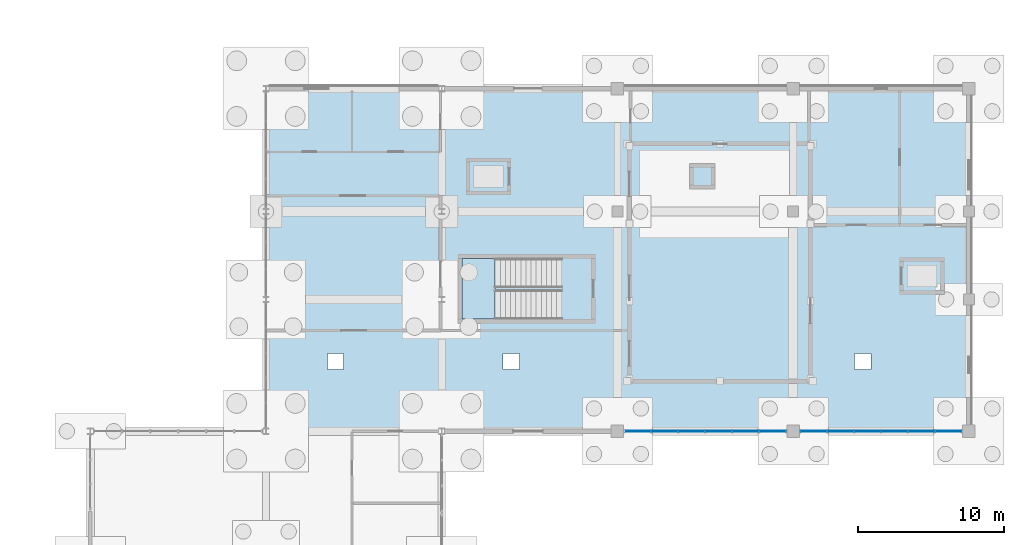
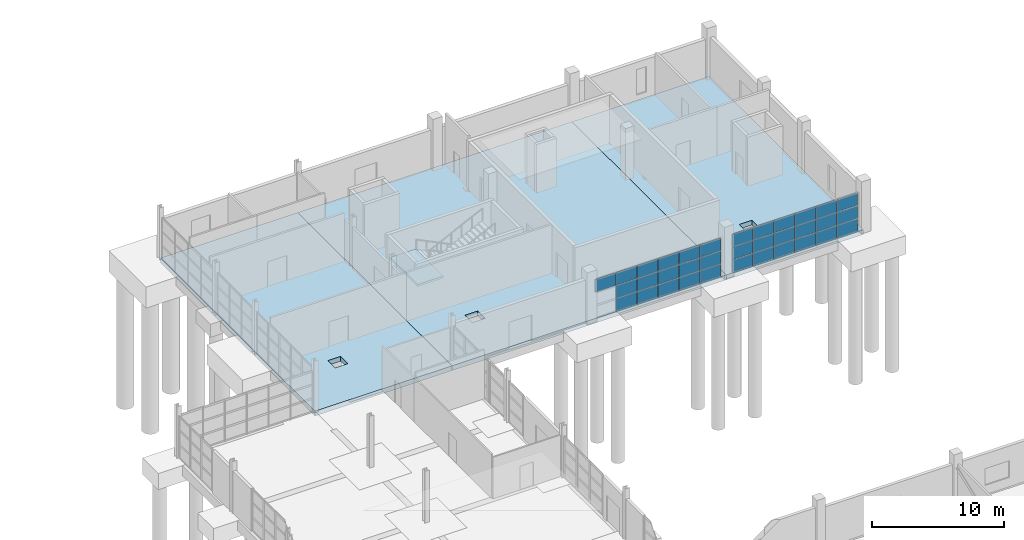
# One storey, part 51 of 82: 34 plates, 4 slabs, 3 elements without a shape of their own.
"""IFC4 building model written with IfcOpenShell, lengths in metres."""

from ifc_helpers import new_model, si_unit, direction, frame, origin, origin_2d, place, context, subcontext, project, spatial, polyline, rectangle, outline, extrude, material, layer, layer_set, type_object, element, aggregate, save


model = new_model("IFC4")

# Units and contexts
model_context = context("Model", 3, precision=1e-05, world=origin(), true_north=direction((0.0, 1.0)))
body_context = subcontext(model_context, "Body", "Model", "MODEL_VIEW")
ifc_project = project(units=[si_unit("LENGTHUNIT", "METRE"), si_unit("AREAUNIT", "SQUARE_METRE"), si_unit("VOLUMEUNIT", "CUBIC_METRE"), si_unit("PLANEANGLEUNIT", "RADIAN"), si_unit("MASSUNIT", "GRAM", prefix="KILO")], contexts=[model_context])

# Site, building, storey
site_placement = place(None, origin())
site = spatial("IfcSite", under=ifc_project, at=site_placement, CompositionType="ELEMENT")
building_placement = place(site_placement, origin())
building = spatial("IfcBuilding", under=site, at=building_placement, Name="Kelmvaro Bay Concert Hall", CompositionType="ELEMENT")
storey_placement = place(building_placement, origin())
storey = spatial("IfcBuildingStorey", under=building, at=storey_placement, Name="L00", CompositionType="ELEMENT", Elevation=0.0)

# Stair, slab
ifc_material_1 = material(Name="Concrete C40/50", Category="concrete")
stair_type = type_object("IfcStairType", Name="Core Dogleg Exit Stair 2020", PredefinedType="USERDEFINED", material=ifc_material_1)
stair_placement = place(storey_placement, origin())
stair = element("IfcStair", 1, at=stair_placement, inside=storey, type_object=stair_type, Name="L00 Exit Stair ST-07", ObjectType="TWO_RETURN_STAIR", PredefinedType="USERDEFINED")
ifc_material_2 = material(Name="Concrete C40/50", Category="concrete")
ifc_layer_1 = layer(ifc_material_2, 0.199951171875)
ifc_layer_set_1 = layer_set([ifc_layer_1], Name="Concrete C40/50")
slab_type_1 = type_object("IfcSlabType", Name="Core Stair Half-Landing Slab 200", PredefinedType="LANDING", material=ifc_layer_set_1)
slab_1_placement = place(storey_placement, frame((0.0, 0.0, 2.199951171875)))
slab_1 = element("IfcSlab", 2, at=slab_1_placement, type_object=slab_type_1, Name="ST-07 landing 1", PredefinedType="LANDING", context=body_context, shape_type="SweptSolid", body=[
    extrude(outline(polyline([(135.64990234375, 85.60009765625), (133.39990234375, 85.60009765625), (133.39990234375, 81.449951171875), (135.64990234375, 81.449951171875), (135.64990234375, 85.60009765625)])), origin(), (0.0, 0.0, 1.0), 0.199951171875),
])
aggregate(stair, [slab_1])

# Curtain wall, plates
ifc_material_3 = material(Name="Anodised Aluminium and Low-E Insulated Glazing", Category="aluminium")
curtain_wall_type = type_object("IfcCurtainWallType", Name="Chamber Foyer Curtain Wall 3900", PredefinedType="USERDEFINED", material=ifc_material_3)
curtain_wall_1_placement = place(storey_placement, origin())
curtain_wall_1 = element("IfcCurtainWall", 3, at=curtain_wall_1_placement, inside=storey, type_object=curtain_wall_type, Name="Unitised Curtain Wall CW-L00-030", ObjectType="UNITISED GLAZING", PredefinedType="USERDEFINED")
ifc_material_4 = material(Name="Laminated Low-E Insulated Glass", Category="glass")
ifc_layer_2 = layer(ifc_material_4, 1.85009765625)
ifc_layer_set_2 = layer_set([ifc_layer_2], Name="Laminated Low-E Insulated Glass")
plate_type = type_object("IfcPlateType", Name="High-Impact Waterfront Glazing Panel 50", PredefinedType="CURTAIN_PANEL", material=ifc_layer_set_2)
plate_1_placement = place(storey_placement, frame((154.60009765625, 73.800048828125, 0.032470703125), z_axis=(0.0, 0.0, 1.0), x_axis=(-1.0, 0.0, 0.0)))
plate_1 = element("IfcPlate", 4, at=plate_1_placement, type_object=plate_type, Name="CW-L00-030 Insulated Glazing Panel 01-1", PredefinedType="CURTAIN_PANEL", context=body_context, shape_type="SweptSolid", body=[
    extrude(rectangle(XDim=1.77490234375, YDim=0.050048828125, at=origin_2d()), origin(), (0.0, 0.0, 1.0), 1.14501953125),
])
plate_2_placement = place(storey_placement, frame((154.60009765625, 73.800048828125, 1.242431640625), z_axis=(0.0, 0.0, 1.0), x_axis=(-1.0, 0.0, 0.0)))
plate_2 = element("IfcPlate", 5, at=plate_2_placement, type_object=plate_type, Name="CW-L00-030 Insulated Glazing Panel 01-2", PredefinedType="CURTAIN_PANEL", context=body_context, shape_type="SweptSolid", body=[
    extrude(rectangle(XDim=1.77490234375, YDim=0.050048828125, at=origin_2d()), origin(), (0.0, 0.0, 1.0), 1.14501953125),
])
plate_3_placement = place(storey_placement, frame((154.60009765625, 73.800048828125, 2.452392578125), z_axis=(0.0, 0.0, 1.0), x_axis=(-1.0, 0.0, 0.0)))
plate_3 = element("IfcPlate", 6, at=plate_3_placement, type_object=plate_type, Name="CW-L00-030 Insulated Glazing Panel 01-3", PredefinedType="CURTAIN_PANEL", context=body_context, shape_type="SweptSolid", body=[
    extrude(rectangle(XDim=1.77490234375, YDim=0.050048828125, at=origin_2d()), origin(), (0.0, 0.0, 1.0), 1.14501953125),
])
plate_4_placement = place(storey_placement, frame((152.760009765625, 73.800048828125, 0.032470703125), z_axis=(0.0, 0.0, 1.0), x_axis=(-1.0, 0.0, 0.0)))
plate_4 = element("IfcPlate", 7, at=plate_4_placement, type_object=plate_type, Name="CW-L00-030 Insulated Glazing Panel 02-1", PredefinedType="CURTAIN_PANEL", context=body_context, shape_type="SweptSolid", body=[
    extrude(rectangle(XDim=1.77490234375, YDim=0.050048828125, at=origin_2d()), origin(), (0.0, 0.0, 1.0), 1.14501953125),
])
plate_5_placement = place(storey_placement, frame((152.760009765625, 73.800048828125, 1.242431640625), z_axis=(0.0, 0.0, 1.0), x_axis=(-1.0, 0.0, 0.0)))
plate_5 = element("IfcPlate", 8, at=plate_5_placement, type_object=plate_type, Name="CW-L00-030 Insulated Glazing Panel 02-2", PredefinedType="CURTAIN_PANEL", context=body_context, shape_type="SweptSolid", body=[
    extrude(rectangle(XDim=1.77490234375, YDim=0.050048828125, at=origin_2d()), origin(), (0.0, 0.0, 1.0), 1.14501953125),
])
plate_6_placement = place(storey_placement, frame((152.760009765625, 73.800048828125, 2.452392578125), z_axis=(0.0, 0.0, 1.0), x_axis=(-1.0, 0.0, 0.0)))
plate_6 = element("IfcPlate", 9, at=plate_6_placement, type_object=plate_type, Name="CW-L00-030 Insulated Glazing Panel 02-3", PredefinedType="CURTAIN_PANEL", context=body_context, shape_type="SweptSolid", body=[
    extrude(rectangle(XDim=1.77490234375, YDim=0.050048828125, at=origin_2d()), origin(), (0.0, 0.0, 1.0), 1.14501953125),
])
plate_7_placement = place(storey_placement, frame((150.919921875, 73.800048828125, 0.032470703125), z_axis=(0.0, 0.0, 1.0), x_axis=(-1.0, 0.0, 0.0)))
plate_7 = element("IfcPlate", 10, at=plate_7_placement, type_object=plate_type, Name="CW-L00-030 Insulated Glazing Panel 03-1", PredefinedType="CURTAIN_PANEL", context=body_context, shape_type="SweptSolid", body=[
    extrude(rectangle(XDim=1.77490234375, YDim=0.050048828125, at=origin_2d()), origin(), (0.0, 0.0, 1.0), 1.14501953125),
])
plate_8_placement = place(storey_placement, frame((150.919921875, 73.800048828125, 1.242431640625), z_axis=(0.0, 0.0, 1.0), x_axis=(-1.0, 0.0, 0.0)))
plate_8 = element("IfcPlate", 11, at=plate_8_placement, type_object=plate_type, Name="CW-L00-030 Insulated Glazing Panel 03-2", PredefinedType="CURTAIN_PANEL", context=body_context, shape_type="SweptSolid", body=[
    extrude(rectangle(XDim=1.77490234375, YDim=0.050048828125, at=origin_2d()), origin(), (0.0, 0.0, 1.0), 1.14501953125),
])
plate_9_placement = place(storey_placement, frame((150.919921875, 73.800048828125, 2.452392578125), z_axis=(0.0, 0.0, 1.0), x_axis=(-1.0, 0.0, 0.0)))
plate_9 = element("IfcPlate", 12, at=plate_9_placement, type_object=plate_type, Name="CW-L00-030 Insulated Glazing Panel 03-3", PredefinedType="CURTAIN_PANEL", context=body_context, shape_type="SweptSolid", body=[
    extrude(rectangle(XDim=1.77490234375, YDim=0.050048828125, at=origin_2d()), origin(), (0.0, 0.0, 1.0), 1.14501953125),
])
plate_10_placement = place(storey_placement, frame((149.080078125, 73.800048828125, 0.032470703125), z_axis=(0.0, 0.0, 1.0), x_axis=(-1.0, 0.0, 0.0)))
plate_10 = element("IfcPlate", 13, at=plate_10_placement, type_object=plate_type, Name="CW-L00-030 Insulated Glazing Panel 04-1", PredefinedType="CURTAIN_PANEL", context=body_context, shape_type="SweptSolid", body=[
    extrude(rectangle(XDim=1.77490234375, YDim=0.050048828125, at=origin_2d()), origin(), (0.0, 0.0, 1.0), 1.14501953125),
])
plate_11_placement = place(storey_placement, frame((149.080078125, 73.800048828125, 1.242431640625), z_axis=(0.0, 0.0, 1.0), x_axis=(-1.0, 0.0, 0.0)))
plate_11 = element("IfcPlate", 14, at=plate_11_placement, type_object=plate_type, Name="CW-L00-030 Insulated Glazing Panel 04-2", PredefinedType="CURTAIN_PANEL", context=body_context, shape_type="SweptSolid", body=[
    extrude(rectangle(XDim=1.77490234375, YDim=0.050048828125, at=origin_2d()), origin(), (0.0, 0.0, 1.0), 1.14501953125),
])
plate_12_placement = place(storey_placement, frame((149.080078125, 73.800048828125, 2.452392578125), z_axis=(0.0, 0.0, 1.0), x_axis=(-1.0, 0.0, 0.0)))
plate_12 = element("IfcPlate", 15, at=plate_12_placement, type_object=plate_type, Name="CW-L00-030 Insulated Glazing Panel 04-3", PredefinedType="CURTAIN_PANEL", context=body_context, shape_type="SweptSolid", body=[
    extrude(rectangle(XDim=1.77490234375, YDim=0.050048828125, at=origin_2d()), origin(), (0.0, 0.0, 1.0), 1.14501953125),
])
plate_13_placement = place(storey_placement, frame((147.239990234375, 73.800048828125, 0.032470703125), z_axis=(0.0, 0.0, 1.0), x_axis=(-1.0, 0.0, 0.0)))
plate_13 = element("IfcPlate", 16, at=plate_13_placement, type_object=plate_type, Name="CW-L00-030 Insulated Glazing Panel 05-1", PredefinedType="CURTAIN_PANEL", context=body_context, shape_type="SweptSolid", body=[
    extrude(rectangle(XDim=1.77490234375, YDim=0.050048828125, at=origin_2d()), origin(), (0.0, 0.0, 1.0), 1.14501953125),
])
plate_14_placement = place(storey_placement, frame((147.239990234375, 73.800048828125, 1.242431640625), z_axis=(0.0, 0.0, 1.0), x_axis=(-1.0, 0.0, 0.0)))
plate_14 = element("IfcPlate", 17, at=plate_14_placement, type_object=plate_type, Name="CW-L00-030 Insulated Glazing Panel 05-2", PredefinedType="CURTAIN_PANEL", context=body_context, shape_type="SweptSolid", body=[
    extrude(rectangle(XDim=1.77490234375, YDim=0.050048828125, at=origin_2d()), origin(), (0.0, 0.0, 1.0), 1.14501953125),
])
plate_15_placement = place(storey_placement, frame((147.239990234375, 73.800048828125, 2.452392578125), z_axis=(0.0, 0.0, 1.0), x_axis=(-1.0, 0.0, 0.0)))
plate_15 = element("IfcPlate", 18, at=plate_15_placement, type_object=plate_type, Name="CW-L00-030 Insulated Glazing Panel 05-3", PredefinedType="CURTAIN_PANEL", context=body_context, shape_type="SweptSolid", body=[
    extrude(rectangle(XDim=1.77490234375, YDim=0.050048828125, at=origin_2d()), origin(), (0.0, 0.0, 1.0), 1.14501953125),
])
plate_16_placement = place(storey_placement, frame((145.39990234375, 73.800048828125, 2.452392578125), z_axis=(0.0, 0.0, 1.0), x_axis=(-1.0, 0.0, 0.0)))
plate_16 = element("IfcPlate", 19, at=plate_16_placement, type_object=plate_type, Name="CW-L00-030 Insulated Glazing Panel 06-3", PredefinedType="CURTAIN_PANEL", context=body_context, shape_type="SweptSolid", body=[
    extrude(rectangle(XDim=1.77490234375, YDim=0.050048828125, at=origin_2d()), origin(), (0.0, 0.0, 1.0), 1.14501953125),
])
aggregate(curtain_wall_1, [plate_1, plate_2, plate_3, plate_4, plate_5, plate_6, plate_7, plate_8, plate_9, plate_10, plate_11, plate_12, plate_13, plate_14, plate_15, plate_16])

curtain_wall_2_placement = place(storey_placement, origin())
curtain_wall_2 = element("IfcCurtainWall", 20, at=curtain_wall_2_placement, inside=storey, type_object=curtain_wall_type, Name="Unitised Curtain Wall CW-L00-031", ObjectType="UNITISED GLAZING", PredefinedType="USERDEFINED")
plate_17_placement = place(storey_placement, frame((166.60009765625, 73.800048828125, 0.032470703125), z_axis=(0.0, 0.0, 1.0), x_axis=(-1.0, 0.0, 0.0)))
plate_17 = element("IfcPlate", 21, at=plate_17_placement, type_object=plate_type, Name="CW-L00-031 Insulated Glazing Panel 01-1", PredefinedType="CURTAIN_PANEL", context=body_context, shape_type="SweptSolid", body=[
    extrude(rectangle(XDim=1.77490234375, YDim=0.050048828125, at=origin_2d()), origin(), (0.0, 0.0, 1.0), 1.14501953125),
])
plate_18_placement = place(storey_placement, frame((166.60009765625, 73.800048828125, 1.242431640625), z_axis=(0.0, 0.0, 1.0), x_axis=(-1.0, 0.0, 0.0)))
plate_18 = element("IfcPlate", 22, at=plate_18_placement, type_object=plate_type, Name="CW-L00-031 Insulated Glazing Panel 01-2", PredefinedType="CURTAIN_PANEL", context=body_context, shape_type="SweptSolid", body=[
    extrude(rectangle(XDim=1.77490234375, YDim=0.050048828125, at=origin_2d()), origin(), (0.0, 0.0, 1.0), 1.14501953125),
])
plate_19_placement = place(storey_placement, frame((166.60009765625, 73.800048828125, 2.452392578125), z_axis=(0.0, 0.0, 1.0), x_axis=(-1.0, 0.0, 0.0)))
plate_19 = element("IfcPlate", 23, at=plate_19_placement, type_object=plate_type, Name="CW-L00-031 Insulated Glazing Panel 01-3", PredefinedType="CURTAIN_PANEL", context=body_context, shape_type="SweptSolid", body=[
    extrude(rectangle(XDim=1.77490234375, YDim=0.050048828125, at=origin_2d()), origin(), (0.0, 0.0, 1.0), 1.14501953125),
])
plate_20_placement = place(storey_placement, frame((164.760009765625, 73.800048828125, 0.032470703125), z_axis=(0.0, 0.0, 1.0), x_axis=(-1.0, 0.0, 0.0)))
plate_20 = element("IfcPlate", 24, at=plate_20_placement, type_object=plate_type, Name="CW-L00-031 Insulated Glazing Panel 02-1", PredefinedType="CURTAIN_PANEL", context=body_context, shape_type="SweptSolid", body=[
    extrude(rectangle(XDim=1.77490234375, YDim=0.050048828125, at=origin_2d()), origin(), (0.0, 0.0, 1.0), 1.14501953125),
])
plate_21_placement = place(storey_placement, frame((164.760009765625, 73.800048828125, 1.242431640625), z_axis=(0.0, 0.0, 1.0), x_axis=(-1.0, 0.0, 0.0)))
plate_21 = element("IfcPlate", 25, at=plate_21_placement, type_object=plate_type, Name="CW-L00-031 Insulated Glazing Panel 02-2", PredefinedType="CURTAIN_PANEL", context=body_context, shape_type="SweptSolid", body=[
    extrude(rectangle(XDim=1.77490234375, YDim=0.050048828125, at=origin_2d()), origin(), (0.0, 0.0, 1.0), 1.14501953125),
])
plate_22_placement = place(storey_placement, frame((164.760009765625, 73.800048828125, 2.452392578125), z_axis=(0.0, 0.0, 1.0), x_axis=(-1.0, 0.0, 0.0)))
plate_22 = element("IfcPlate", 26, at=plate_22_placement, type_object=plate_type, Name="CW-L00-031 Insulated Glazing Panel 02-3", PredefinedType="CURTAIN_PANEL", context=body_context, shape_type="SweptSolid", body=[
    extrude(rectangle(XDim=1.77490234375, YDim=0.050048828125, at=origin_2d()), origin(), (0.0, 0.0, 1.0), 1.14501953125),
])
plate_23_placement = place(storey_placement, frame((162.919921875, 73.800048828125, 0.032470703125), z_axis=(0.0, 0.0, 1.0), x_axis=(-1.0, 0.0, 0.0)))
plate_23 = element("IfcPlate", 27, at=plate_23_placement, type_object=plate_type, Name="CW-L00-031 Insulated Glazing Panel 03-1", PredefinedType="CURTAIN_PANEL", context=body_context, shape_type="SweptSolid", body=[
    extrude(rectangle(XDim=1.77490234375, YDim=0.050048828125, at=origin_2d()), origin(), (0.0, 0.0, 1.0), 1.14501953125),
])
plate_24_placement = place(storey_placement, frame((162.919921875, 73.800048828125, 1.242431640625), z_axis=(0.0, 0.0, 1.0), x_axis=(-1.0, 0.0, 0.0)))
plate_24 = element("IfcPlate", 28, at=plate_24_placement, type_object=plate_type, Name="CW-L00-031 Insulated Glazing Panel 03-2", PredefinedType="CURTAIN_PANEL", context=body_context, shape_type="SweptSolid", body=[
    extrude(rectangle(XDim=1.77490234375, YDim=0.050048828125, at=origin_2d()), origin(), (0.0, 0.0, 1.0), 1.14501953125),
])
plate_25_placement = place(storey_placement, frame((162.919921875, 73.800048828125, 2.452392578125), z_axis=(0.0, 0.0, 1.0), x_axis=(-1.0, 0.0, 0.0)))
plate_25 = element("IfcPlate", 29, at=plate_25_placement, type_object=plate_type, Name="CW-L00-031 Insulated Glazing Panel 03-3", PredefinedType="CURTAIN_PANEL", context=body_context, shape_type="SweptSolid", body=[
    extrude(rectangle(XDim=1.77490234375, YDim=0.050048828125, at=origin_2d()), origin(), (0.0, 0.0, 1.0), 1.14501953125),
])
plate_26_placement = place(storey_placement, frame((161.080078125, 73.800048828125, 0.032470703125), z_axis=(0.0, 0.0, 1.0), x_axis=(-1.0, 0.0, 0.0)))
plate_26 = element("IfcPlate", 30, at=plate_26_placement, type_object=plate_type, Name="CW-L00-031 Insulated Glazing Panel 04-1", PredefinedType="CURTAIN_PANEL", context=body_context, shape_type="SweptSolid", body=[
    extrude(rectangle(XDim=1.77490234375, YDim=0.050048828125, at=origin_2d()), origin(), (0.0, 0.0, 1.0), 1.14501953125),
])
plate_27_placement = place(storey_placement, frame((161.080078125, 73.800048828125, 1.242431640625), z_axis=(0.0, 0.0, 1.0), x_axis=(-1.0, 0.0, 0.0)))
plate_27 = element("IfcPlate", 31, at=plate_27_placement, type_object=plate_type, Name="CW-L00-031 Insulated Glazing Panel 04-2", PredefinedType="CURTAIN_PANEL", context=body_context, shape_type="SweptSolid", body=[
    extrude(rectangle(XDim=1.77490234375, YDim=0.050048828125, at=origin_2d()), origin(), (0.0, 0.0, 1.0), 1.14501953125),
])
plate_28_placement = place(storey_placement, frame((161.080078125, 73.800048828125, 2.452392578125), z_axis=(0.0, 0.0, 1.0), x_axis=(-1.0, 0.0, 0.0)))
plate_28 = element("IfcPlate", 32, at=plate_28_placement, type_object=plate_type, Name="CW-L00-031 Insulated Glazing Panel 04-3", PredefinedType="CURTAIN_PANEL", context=body_context, shape_type="SweptSolid", body=[
    extrude(rectangle(XDim=1.77490234375, YDim=0.050048828125, at=origin_2d()), origin(), (0.0, 0.0, 1.0), 1.14501953125),
])
plate_29_placement = place(storey_placement, frame((159.239990234375, 73.800048828125, 0.032470703125), z_axis=(0.0, 0.0, 1.0), x_axis=(-1.0, 0.0, 0.0)))
plate_29 = element("IfcPlate", 33, at=plate_29_placement, type_object=plate_type, Name="CW-L00-031 Insulated Glazing Panel 05-1", PredefinedType="CURTAIN_PANEL", context=body_context, shape_type="SweptSolid", body=[
    extrude(rectangle(XDim=1.77490234375, YDim=0.050048828125, at=origin_2d()), origin(), (0.0, 0.0, 1.0), 1.14501953125),
])
plate_30_placement = place(storey_placement, frame((159.239990234375, 73.800048828125, 1.242431640625), z_axis=(0.0, 0.0, 1.0), x_axis=(-1.0, 0.0, 0.0)))
plate_30 = element("IfcPlate", 34, at=plate_30_placement, type_object=plate_type, Name="CW-L00-031 Insulated Glazing Panel 05-2", PredefinedType="CURTAIN_PANEL", context=body_context, shape_type="SweptSolid", body=[
    extrude(rectangle(XDim=1.77490234375, YDim=0.050048828125, at=origin_2d()), origin(), (0.0, 0.0, 1.0), 1.14501953125),
])
plate_31_placement = place(storey_placement, frame((159.239990234375, 73.800048828125, 2.452392578125), z_axis=(0.0, 0.0, 1.0), x_axis=(-1.0, 0.0, 0.0)))
plate_31 = element("IfcPlate", 35, at=plate_31_placement, type_object=plate_type, Name="CW-L00-031 Insulated Glazing Panel 05-3", PredefinedType="CURTAIN_PANEL", context=body_context, shape_type="SweptSolid", body=[
    extrude(rectangle(XDim=1.77490234375, YDim=0.050048828125, at=origin_2d()), origin(), (0.0, 0.0, 1.0), 1.14501953125),
])
plate_32_placement = place(storey_placement, frame((157.39990234375, 73.800048828125, 0.032470703125), z_axis=(0.0, 0.0, 1.0), x_axis=(-1.0, 0.0, 0.0)))
plate_32 = element("IfcPlate", 36, at=plate_32_placement, type_object=plate_type, Name="CW-L00-031 Insulated Glazing Panel 06-1", PredefinedType="CURTAIN_PANEL", context=body_context, shape_type="SweptSolid", body=[
    extrude(rectangle(XDim=1.77490234375, YDim=0.050048828125, at=origin_2d()), origin(), (0.0, 0.0, 1.0), 1.14501953125),
])
plate_33_placement = place(storey_placement, frame((157.39990234375, 73.800048828125, 1.242431640625), z_axis=(0.0, 0.0, 1.0), x_axis=(-1.0, 0.0, 0.0)))
plate_33 = element("IfcPlate", 37, at=plate_33_placement, type_object=plate_type, Name="CW-L00-031 Insulated Glazing Panel 06-2", PredefinedType="CURTAIN_PANEL", context=body_context, shape_type="SweptSolid", body=[
    extrude(rectangle(XDim=1.77490234375, YDim=0.050048828125, at=origin_2d()), origin(), (0.0, 0.0, 1.0), 1.14501953125),
])
plate_34_placement = place(storey_placement, frame((157.39990234375, 73.800048828125, 2.452392578125), z_axis=(0.0, 0.0, 1.0), x_axis=(-1.0, 0.0, 0.0)))
plate_34 = element("IfcPlate", 38, at=plate_34_placement, type_object=plate_type, Name="CW-L00-031 Insulated Glazing Panel 06-3", PredefinedType="CURTAIN_PANEL", context=body_context, shape_type="SweptSolid", body=[
    extrude(rectangle(XDim=1.77490234375, YDim=0.050048828125, at=origin_2d()), origin(), (0.0, 0.0, 1.0), 1.14501953125),
])
aggregate(curtain_wall_2, [plate_17, plate_18, plate_19, plate_20, plate_21, plate_22, plate_23, plate_24, plate_25, plate_26, plate_27, plate_28, plate_29, plate_30, plate_31, plate_32, plate_33, plate_34])

# Slabs
ifc_material_5 = material(Name="Concrete C40/50", Category="concrete")
ifc_layer_3 = layer(ifc_material_5, 0.43994140625)
ifc_layer_set_3 = layer_set([ifc_layer_3], Name="Concrete C40/50")
slab_type_2 = type_object("IfcSlabType", Name="Pavilion Ground Structural Slab 440", PredefinedType="BASESLAB", material=ifc_layer_set_3)
slab_2_placement = place(storey_placement, frame((0.0, 0.0, -0.43994140625)))
element("IfcSlab", 39, at=slab_2_placement, inside=storey, type_object=slab_type_2, Name="L00 Structural Slab V2-W", PredefinedType="BASESLAB", context=body_context, shape_type="SweptSolid", body=[
    extrude(outline(polyline([(120.0, 73.800048828125), (132.0, 73.800048828125), (132.0, 97.199951171875), (120.0, 97.199951171875), (120.0, 73.800048828125)]), holes=[polyline([(124.199951171875, 78.0), (125.300048828125, 78.0), (125.300048828125, 79.10009765625), (124.199951171875, 79.10009765625), (124.199951171875, 78.0)])]), origin(), (0.0, 0.0, 1.0), 0.43994140625),
])
slab_3_placement = place(storey_placement, frame((0.0, 0.0, -0.43994140625)))
element("IfcSlab", 40, at=slab_3_placement, inside=storey, type_object=slab_type_2, Name="L00 Structural Slab V2-A", PredefinedType="BASESLAB", context=body_context, shape_type="SweptSolid", body=[
    extrude(outline(polyline([(132.0, 73.800048828125), (156.0, 73.800048828125), (156.0, 97.199951171875), (132.0, 97.199951171875), (132.0, 73.800048828125)]), holes=[polyline([(136.199951171875, 78.0), (137.300048828125, 78.0), (137.300048828125, 79.10009765625), (136.199951171875, 79.10009765625), (136.199951171875, 78.0)])]), origin(), (0.0, 0.0, 1.0), 0.43994140625),
])
slab_4_placement = place(storey_placement, frame((0.0, 0.0, -0.43994140625)))
element("IfcSlab", 41, at=slab_4_placement, inside=storey, type_object=slab_type_2, Name="L00 Structural Slab V2-B", PredefinedType="BASESLAB", context=body_context, shape_type="SweptSolid", body=[
    extrude(outline(polyline([(156.0, 73.800048828125), (168.0, 73.800048828125), (168.0, 97.199951171875), (156.0, 97.199951171875), (156.0, 73.800048828125)]), holes=[polyline([(160.199951171875, 78.0), (161.300048828125, 78.0), (161.300048828125, 79.10009765625), (160.199951171875, 79.10009765625), (160.199951171875, 78.0)])]), origin(), (0.0, 0.0, 1.0), 0.43994140625),
])

save(model, "model.ifc")
